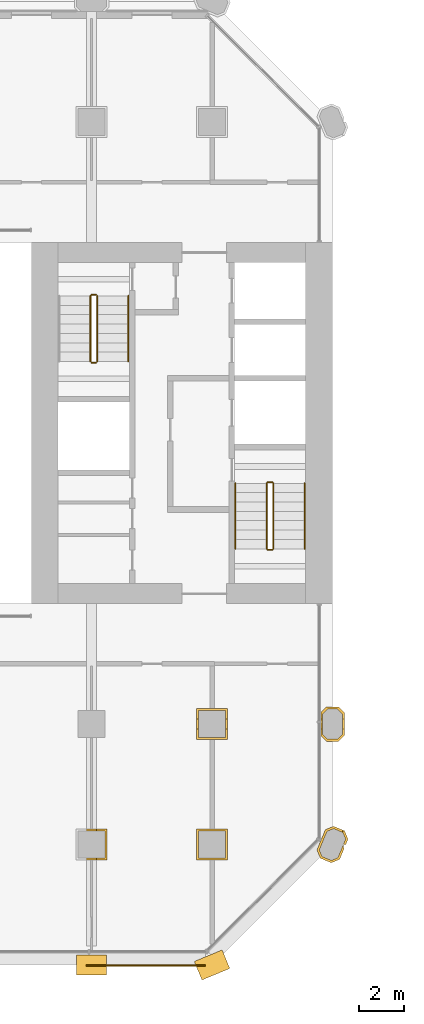
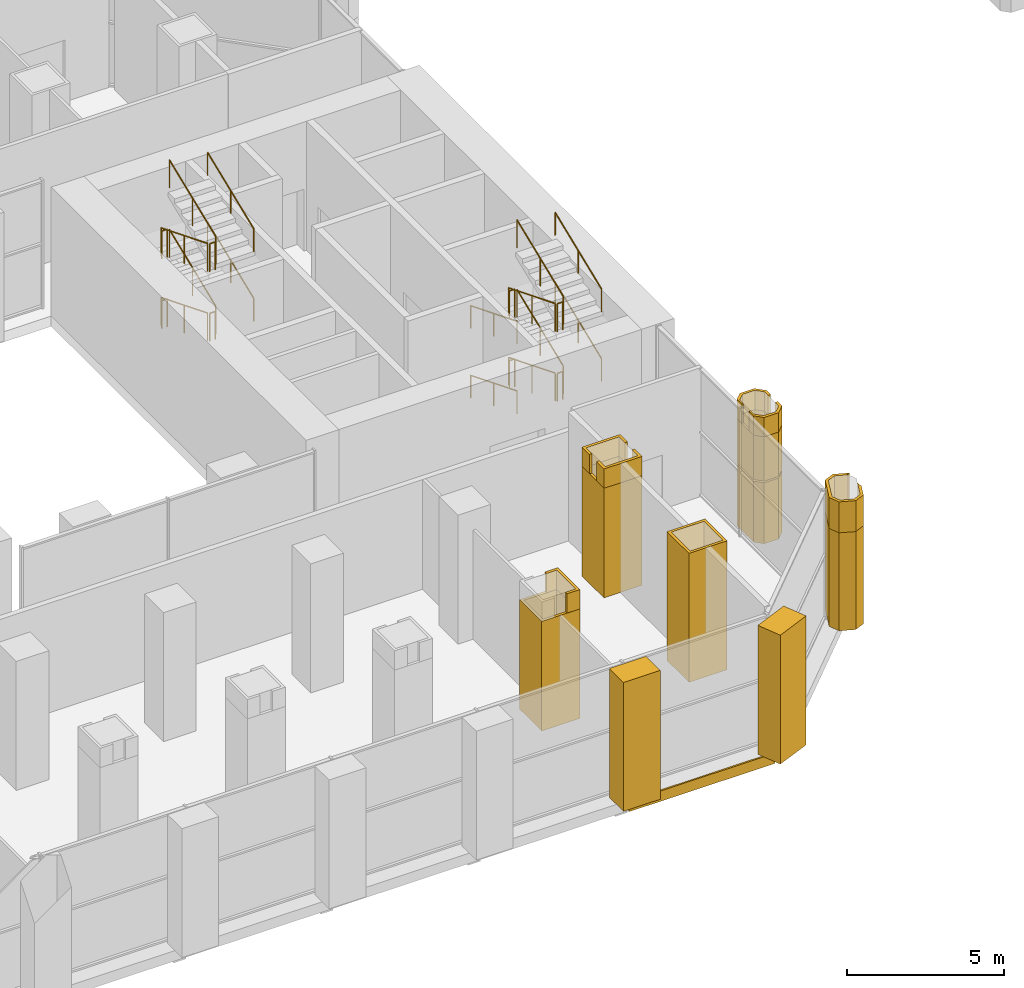
# One storey, part 21 of 27: 22 railings, 15 coverings.
"""IFC4 building model written with IfcOpenShell, lengths in metres."""

from ifc_helpers import new_model, si_unit, direction, frame, frame_2d, origin, origin_2d, place, context, subcontext, project, spatial, polyline, rectangle, circle, outline, extrude, material, layer, layer_set, type_object, element, save


model = new_model("IFC4")

# Units and contexts
model_context = context("Model", 3, precision=1e-05, world=origin(), true_north=direction((0.0, 1.0)))
body_context = subcontext(model_context, "Body", "Model", "MODEL_VIEW")
ifc_project = project(units=[si_unit("LENGTHUNIT", "METRE"), si_unit("AREAUNIT", "SQUARE_METRE"), si_unit("VOLUMEUNIT", "CUBIC_METRE"), si_unit("PLANEANGLEUNIT", "RADIAN"), si_unit("MASSUNIT", "GRAM", prefix="KILO")], contexts=[model_context])

# Site, building, storey
site_placement = place(None, origin())
site = spatial("IfcSite", under=ifc_project, at=site_placement, CompositionType="ELEMENT")
building_placement = place(site_placement, origin())
building = spatial("IfcBuilding", under=site, at=building_placement, Name="Tabaq Tower and Sports Hall", CompositionType="ELEMENT")
storey_placement = place(building_placement, frame((0.0, 0.0, 14.39990234375)))
storey = spatial("IfcBuildingStorey", under=building, at=storey_placement, Name="L02", CompositionType="ELEMENT", Elevation=14.39990234375)

# Coverings
ifc_material_1 = material(Name="Precast concrete C60/75", Category="concrete")
ifc_layer_1 = layer(ifc_material_1, 0.10009765625)
ifc_layer_set_1 = layer_set([ifc_layer_1], Name="Column cladding 100")
covering_type_1 = type_object("IfcCoveringType", Name="Column cladding 100", PredefinedType="CLADDING", material=ifc_layer_set_1)
covering_1_placement = place(storey_placement, origin())
element("IfcCovering", 1, at=covering_1_placement, inside=storey, type_object=covering_type_1, Name="Column cladding L02 CC-7B-P", PredefinedType="CLADDING", context=body_context, shape_type="SweptSolid", body=[
    extrude(outline(polyline([(31.7001953125, 6.099609375), (33.099609375, 6.099609375), (33.099609375, 4.7001953125), (31.7001953125, 4.7001953125), (31.7001953125, 6.099609375)]), holes=[polyline([(33.000244140625, 4.7998046875), (33.000244140625, 6.000244140625), (31.7998046875, 6.000244140625), (31.7998046875, 4.7998046875), (33.000244140625, 4.7998046875)])]), origin(), (0.0, 0.0, 1.0), 4.25),
])
covering_2_placement = place(storey_placement, frame((0.0, 0.0, 4.25)))
element("IfcCovering", 2, at=covering_2_placement, inside=storey, type_object=covering_type_1, Name="Column cladding L02 CC-7B-P head", PredefinedType="CLADDING", context=body_context, shape_type="SweptSolid", body=[
    extrude(outline(polyline([(32.62548828125, 4.79931640625), (33.00048828125, 4.79931640625), (33.00048828125, 6.00048828125), (32.62548828125, 6.00048828125), (32.62548828125, 6.099365234375), (33.099365234375, 6.099365234375), (33.099365234375, 4.70068359375), (32.62548828125, 4.70068359375), (32.62548828125, 4.79931640625)])), origin(), (0.0, 0.0, 1.0), 0.75),
])
covering_3_placement = place(storey_placement, origin())
element("IfcCovering", 3, at=covering_3_placement, inside=storey, type_object=covering_type_1, Name="Column cladding L02 CC-8B-P", PredefinedType="CLADDING", context=body_context, shape_type="SweptSolid", body=[
    extrude(outline(polyline([(37.100341796875, 6.099609375), (38.499755859375, 6.099609375), (38.499755859375, 4.7001953125), (37.100341796875, 4.7001953125), (37.100341796875, 6.099609375)]), holes=[polyline([(38.400390625, 4.7998046875), (38.400390625, 6.000244140625), (37.19970703125, 6.000244140625), (37.19970703125, 4.7998046875), (38.400390625, 4.7998046875)])]), origin(), (0.0, 0.0, 1.0), 5.0),
])
covering_4_placement = place(storey_placement, origin())
element("IfcCovering", 4, at=covering_4_placement, inside=storey, type_object=covering_type_1, Name="Column cladding L02 CC-8C-P", PredefinedType="CLADDING", context=body_context, shape_type="SweptSolid", body=[
    extrude(outline(polyline([(37.100341796875, 11.499755859375), (38.499755859375, 11.499755859375), (38.499755859375, 10.100341796875), (37.100341796875, 10.100341796875), (37.100341796875, 11.499755859375)]), holes=[polyline([(38.400390625, 10.19970703125), (38.400390625, 11.400390625), (37.19970703125, 11.400390625), (37.19970703125, 10.19970703125), (38.400390625, 10.19970703125)])]), origin(), (0.0, 0.0, 1.0), 4.25),
])
covering_5_placement = place(storey_placement, frame((0.0, 0.0, 4.25)))
element("IfcCovering", 5, at=covering_5_placement, inside=storey, type_object=covering_type_1, Name="Column cladding L02 CC-8C-P head", PredefinedType="CLADDING", context=body_context, shape_type="SweptSolid", body=[
    extrude(outline(polyline([(38.499755859375, 10.100341796875), (37.100341796875, 10.100341796875), (37.100341796875, 10.57470703125), (37.19970703125, 10.57470703125), (37.19970703125, 10.19970703125), (38.400390625, 10.19970703125), (38.400390625, 10.57470703125), (38.499755859375, 10.57470703125), (38.499755859375, 10.100341796875)])), origin(), (0.0, 0.0, 1.0), 0.75),
])
covering_6_placement = place(storey_placement, frame((0.0, 0.0, 4.25)))
element("IfcCovering", 6, at=covering_6_placement, inside=storey, type_object=covering_type_1, Name="Column cladding L02 CC-8C-P head 2", PredefinedType="CLADDING", context=body_context, shape_type="SweptSolid", body=[
    extrude(outline(polyline([(38.499755859375, 11.499755859375), (38.499755859375, 11.025390625), (38.400390625, 11.025390625), (38.400390625, 11.400390625), (37.19970703125, 11.400390625), (37.19970703125, 11.025390625), (37.100341796875, 11.025390625), (37.100341796875, 11.499755859375), (38.499755859375, 11.499755859375)])), origin(), (0.0, 0.0, 1.0), 0.75),
])
covering_7_placement = place(storey_placement, origin())
element("IfcCovering", 7, at=covering_7_placement, inside=storey, type_object=covering_type_1, Name="Column cladding L02 PC-9B-P", PredefinedType="CLADDING", context=body_context, shape_type="SweptSolid", body=[
    extrude(outline(polyline([(42.657470703125, 4.7861328125), (42.504150390625, 5.156494140625), (42.68212890625, 5.586181640625), (42.690185546875, 5.586181640625), (42.690185546875, 5.60595703125), (42.880126953125, 6.064208984375), (43.25048828125, 6.217529296875), (43.742431640625, 6.013916015625), (43.895751953125, 5.6435546875), (43.795166015625, 5.400390625), (43.696533203125, 5.400390625), (43.696533203125, 5.249755859375), (43.732177734375, 5.248291015625), (43.519775390625, 4.73583984375), (43.149658203125, 4.582275390625), (42.657470703125, 4.7861328125)]), holes=[polyline([(43.66650390625, 5.937744140625), (43.25048828125, 6.110107421875), (42.956298828125, 5.98828125), (42.61181640625, 5.156494140625), (42.733642578125, 4.8623046875), (43.149658203125, 4.68994140625), (43.44384765625, 4.811767578125), (43.788330078125, 5.6435546875), (43.66650390625, 5.937744140625)])]), origin(), (0.0, 0.0, 1.0), 3.800048828125),
])
covering_8_placement = place(storey_placement, frame((0.0, 0.0, 3.800048828125)))
element("IfcCovering", 8, at=covering_8_placement, inside=storey, type_object=covering_type_1, Name="Column cladding L02 PC-9B-P head", PredefinedType="CLADDING", context=body_context, shape_type="SweptSolid", body=[
    extrude(outline(polyline([(42.504150390625, 5.156494140625), (42.68212890625, 5.586181640625), (42.690185546875, 5.586181640625), (42.690185546875, 5.60595703125), (42.880126953125, 6.064208984375), (43.25048828125, 6.217529296875), (43.742431640625, 6.013916015625), (43.748046875, 6.000244140625), (43.649658203125, 6.000244140625), (43.649658203125, 5.944580078125), (43.25048828125, 6.110107421875), (42.956298828125, 5.98828125), (42.61181640625, 5.156494140625), (42.733642578125, 4.8623046875), (43.149658203125, 4.68994140625), (43.44384765625, 4.811767578125), (43.687255859375, 5.399658203125), (43.696533203125, 5.399658203125), (43.696533203125, 5.249755859375), (43.732177734375, 5.248291015625), (43.519775390625, 4.73583984375), (43.149658203125, 4.582275390625), (42.657470703125, 4.7861328125), (42.504150390625, 5.156494140625)])), origin(), (0.0, 0.0, 1.0), 1.199951171875),
])
covering_9_placement = place(storey_placement, frame((0.0, 0.0, 0.1025390625)))
element("IfcCovering", 9, at=covering_9_placement, inside=storey, type_object=covering_type_1, Name="Column cladding L02 PC-9C-P", PredefinedType="CLADDING", context=body_context, shape_type="SweptSolid", body=[
    extrude(outline(polyline([(42.93359375, 10.025390625), (42.690185546875, 10.268798828125), (42.690185546875, 11.331298828125), (42.93359375, 11.57470703125), (43.46630859375, 11.57470703125), (43.749755859375, 11.291259765625), (43.749755859375, 10.30859375), (43.46630859375, 10.025390625), (42.93359375, 10.025390625)]), holes=[polyline([(43.425048828125, 11.475341796875), (42.974853515625, 11.475341796875), (42.749755859375, 11.250244140625), (42.749755859375, 10.349853515625), (42.974853515625, 10.124755859375), (43.425048828125, 10.124755859375), (43.650390625, 10.349853515625), (43.650390625, 11.250244140625), (43.425048828125, 11.475341796875)])]), origin(), (0.0, 0.0, 1.0), 2.364990234375),
])
covering_10_placement = place(storey_placement, frame((0.0, 0.0, 2.53271484375)))
element("IfcCovering", 10, at=covering_10_placement, inside=storey, type_object=covering_type_1, Name="Column cladding L02 PC-9C-P 2", PredefinedType="CLADDING", context=body_context, shape_type="SweptSolid", body=[
    extrude(outline(polyline([(42.93359375, 10.025390625), (42.690185546875, 10.268798828125), (42.690185546875, 11.331298828125), (42.93359375, 11.57470703125), (43.46630859375, 11.57470703125), (43.749755859375, 11.291259765625), (43.749755859375, 10.30859375), (43.46630859375, 10.025390625), (42.93359375, 10.025390625)]), holes=[polyline([(43.425048828125, 11.475341796875), (42.974853515625, 11.475341796875), (42.749755859375, 11.250244140625), (42.749755859375, 10.349853515625), (42.974853515625, 10.124755859375), (43.425048828125, 10.124755859375), (43.650390625, 10.349853515625), (43.650390625, 11.250244140625), (43.425048828125, 11.475341796875)])]), origin(), (0.0, 0.0, 1.0), 1.71728515625),
])
covering_11_placement = place(storey_placement, frame((0.0, 0.0, 4.25)))
element("IfcCovering", 11, at=covering_11_placement, inside=storey, type_object=covering_type_1, Name="Column cladding L02 PC-9C-P head", PredefinedType="CLADDING", context=body_context, shape_type="SweptSolid", body=[
    extrude(outline(polyline([(42.690185546875, 10.268798828125), (42.690185546875, 10.57470703125), (42.749755859375, 10.57470703125), (42.749755859375, 10.349853515625), (42.974853515625, 10.124755859375), (43.425048828125, 10.124755859375), (43.650390625, 10.349853515625), (43.650390625, 10.57470703125), (43.749755859375, 10.57470703125), (43.749755859375, 10.30859375), (43.46630859375, 10.025390625), (42.93359375, 10.025390625), (42.690185546875, 10.268798828125)])), origin(), (0.0, 0.0, 1.0), 0.75),
])
covering_12_placement = place(storey_placement, frame((0.0, 0.0, 4.25)))
element("IfcCovering", 12, at=covering_12_placement, inside=storey, type_object=covering_type_1, Name="Column cladding L02 PC-9C-P head 2", PredefinedType="CLADDING", context=body_context, shape_type="SweptSolid", body=[
    extrude(outline(polyline([(42.690185546875, 11.331298828125), (42.93359375, 11.57470703125), (43.46630859375, 11.57470703125), (43.749755859375, 11.291259765625), (43.749755859375, 11.025390625), (43.650390625, 11.025390625), (43.650390625, 11.250244140625), (43.425048828125, 11.475341796875), (42.974853515625, 11.475341796875), (42.749755859375, 11.250244140625), (42.749755859375, 11.025390625), (42.690185546875, 11.025390625), (42.690185546875, 11.331298828125)])), origin(), (0.0, 0.0, 1.0), 0.75),
])
ifc_material_2 = material(Name="Precast concrete C60/75", Category="concrete")
ifc_layer_2 = layer(ifc_material_2, 0.06005859375)
ifc_layer_set_2 = layer_set([ifc_layer_2], Name="Edge beam cladding 60")
covering_type_2 = type_object("IfcCoveringType", Name="Edge beam cladding 60", PredefinedType="CLADDING", material=ifc_layer_set_2)
covering_13_placement = place(storey_placement, frame((32.159912109375, -0.030029296875, -0.39990234375), z_axis=(0.0, 0.0, 1.0), x_axis=(1.0, 0.0, 0.0)))
element("IfcCovering", 13, at=covering_13_placement, inside=storey, type_object=covering_type_2, Name="Edge beam cladding L02 1 2", PredefinedType="CLADDING", context=body_context, shape_type="SweptSolid", body=[
    extrude(rectangle(XDim=5.341552734375, YDim=0.06005859375, at=frame_2d((2.6708984375, 0.0))), origin(), (0.0, 0.0, 1.0), 0.39990234375),
])
ifc_material_3 = material(Name="White precast concrete C60/75", Category="concrete")
covering_type_3 = type_object("IfcCoveringType", Name="Pier cladding hung 1350x900", PredefinedType="CLADDING", material=ifc_material_3)
covering_14_placement = place(storey_placement, frame((31.72509765625, 0.0, 0.0), z_axis=(0.0, 0.0, 1.0), x_axis=(1.0, 0.0, 0.0)))
element("IfcCovering", 14, at=covering_14_placement, inside=storey, type_object=covering_type_3, Name="Hung pier cladding 6/0", PredefinedType="CLADDING", context=body_context, shape_type="SweptSolid", body=[
    extrude(rectangle(XDim=1.349853515625, YDim=0.89990234375, at=frame_2d((0.6748046875, 0.0))), origin(), (0.0, 0.0, 1.0), 5.0),
])
covering_15_placement = place(storey_placement, frame((37.17626953125, -0.25830078125, 0.0), z_axis=(0.0, 0.0, 1.0), x_axis=(0.923893411637, 0.382649923473, 0.0)))
element("IfcCovering", 15, at=covering_15_placement, inside=storey, type_object=covering_type_3, Name="Hung pier cladding 7/0", PredefinedType="CLADDING", context=body_context, shape_type="SweptSolid", body=[
    extrude(rectangle(XDim=1.35009765625, YDim=0.89990234375, at=frame_2d((0.675048828125, 0.0))), origin(), (0.0, 0.0, 1.0), 5.0),
])

# Railings
ifc_material_4 = material(Name="Stainless steel", Category="steel")
railing_type_1 = type_object("IfcRailingType", Name="Stair guard", PredefinedType="GUARDRAIL", material=ifc_material_4)
railing_1_placement = place(storey_placement, frame((40.25, 21.60009765625, 0.1689453125)))
element("IfcRailing", 16, at=railing_1_placement, inside=storey, type_object=railing_type_1, Name="L02 ST3 stair guard 1", PredefinedType="GUARDRAIL", context=body_context, shape_type="SweptSolid", body=[
    extrude(circle(Radius=0.02392578125, at=origin_2d()), frame((0.0, 0.0, 1.076171875), z_axis=(0.0, -0.927923022591, 0.372771866088), x_axis=(1.0, 0.0, 0.0)), (0.0, 0.0, 1.0), 3.16845703125),
    extrude(circle(Radius=0.02099609375, at=origin_2d()), origin(), (0.0, 0.0, 1.0), 1.052001953125),
    extrude(circle(Radius=0.02099609375, at=origin_2d()), frame((0.0, -1.47021484375, 0.590576171875)), (0.0, 0.0, 1.0), 1.052001953125),
    extrude(circle(Radius=0.02099609375, at=origin_2d()), frame((0.0, -2.940185546875, 1.18115234375)), (0.0, 0.0, 1.0), 1.052001953125),
])
railing_2_placement = place(storey_placement, frame((40.300048828125, 18.610107421875, 1.35009765625)))
element("IfcRailing", 17, at=railing_2_placement, inside=storey, type_object=railing_type_1, Name="L02 ST3 stair guard 2", PredefinedType="GUARDRAIL", context=body_context, shape_type="SweptSolid", body=[
    extrude(circle(Radius=0.02392578125, at=origin_2d()), frame((0.0, 0.0, 1.076171875), z_axis=(1.0, 0.0, 0.0), x_axis=(0.0, 1.0, 0.0)), (0.0, 0.0, 1.0), 0.199951171875),
    extrude(circle(Radius=0.02099609375, at=origin_2d()), origin(), (0.0, 0.0, 1.0), 1.052001953125),
    extrude(circle(Radius=0.02099609375, at=origin_2d()), frame((0.199951171875, 0.0, 0.0)), (0.0, 0.0, 1.0), 1.052001953125),
])
railing_3_placement = place(storey_placement, frame((40.550048828125, 18.659912109375, 1.518798828125)))
element("IfcRailing", 18, at=railing_3_placement, inside=storey, type_object=railing_type_1, Name="L02 ST3 stair guard 3", PredefinedType="GUARDRAIL", context=body_context, shape_type="SweptSolid", body=[
    extrude(circle(Radius=0.02392578125, at=origin_2d()), frame((0.0, 0.0, 1.076171875), z_axis=(0.0, 0.927896368829, 0.372838207155), x_axis=(-1.0, 0.0, 0.0)), (0.0, 0.0, 1.0), 3.168701171875),
    extrude(circle(Radius=0.02099609375, at=origin_2d()), origin(), (0.0, 0.0, 1.0), 1.052001953125),
    extrude(circle(Radius=0.02099609375, at=origin_2d()), frame((0.0, 1.47021484375, 0.5908203125)), (0.0, 0.0, 1.0), 1.052001953125),
    extrude(circle(Radius=0.02099609375, at=origin_2d()), frame((0.0, 2.940185546875, 1.181396484375)), (0.0, 0.0, 1.0), 1.052001953125),
])
railing_4_placement = place(storey_placement, frame((40.300048828125, 21.64990234375, 2.7001953125)))
element("IfcRailing", 19, at=railing_4_placement, inside=storey, type_object=railing_type_1, Name="L02 ST3 stair guard 4", PredefinedType="GUARDRAIL", context=body_context, shape_type="SweptSolid", body=[
    extrude(circle(Radius=0.02392578125, at=origin_2d()), frame((0.0, 0.0, 1.076171875), z_axis=(1.0, 0.0, 0.0), x_axis=(0.0, 1.0, 0.0)), (0.0, 0.0, 1.0), 0.199951171875),
    extrude(circle(Radius=0.02099609375, at=origin_2d()), origin(), (0.0, 0.0, 1.0), 1.052001953125),
    extrude(circle(Radius=0.02099609375, at=origin_2d()), frame((0.199951171875, 0.0, 0.0)), (0.0, 0.0, 1.0), 1.052001953125),
])
railing_5_placement = place(storey_placement, frame((40.25, 21.60009765625, 2.868896484375)))
element("IfcRailing", 20, at=railing_5_placement, inside=storey, type_object=railing_type_1, Name="L02 ST3 stair guard 5", PredefinedType="GUARDRAIL", context=body_context, shape_type="SweptSolid", body=[
    extrude(circle(Radius=0.02392578125, at=origin_2d()), frame((0.0, 0.0, 1.076171875), z_axis=(0.0, -0.927923022591, 0.372771866088), x_axis=(1.0, 0.0, 0.0)), (0.0, 0.0, 1.0), 3.16845703125),
    extrude(circle(Radius=0.02099609375, at=origin_2d()), origin(), (0.0, 0.0, 1.0), 1.052001953125),
    extrude(circle(Radius=0.02099609375, at=origin_2d()), frame((0.0, -1.47021484375, 0.590576171875)), (0.0, 0.0, 1.0), 1.052001953125),
    extrude(circle(Radius=0.02099609375, at=origin_2d()), frame((0.0, -2.940185546875, 1.18115234375)), (0.0, 0.0, 1.0), 1.052001953125),
])
railing_6_placement = place(storey_placement, frame((40.300048828125, 18.610107421875, 4.050048828125)))
element("IfcRailing", 21, at=railing_6_placement, inside=storey, type_object=railing_type_1, Name="L02 ST3 stair guard 6", PredefinedType="GUARDRAIL", context=body_context, shape_type="SweptSolid", body=[
    extrude(circle(Radius=0.02392578125, at=origin_2d()), frame((0.0, 0.0, 1.076171875), z_axis=(1.0, 0.0, 0.0), x_axis=(0.0, 1.0, 0.0)), (0.0, 0.0, 1.0), 0.199951171875),
    extrude(circle(Radius=0.02099609375, at=origin_2d()), origin(), (0.0, 0.0, 1.0), 1.052001953125),
    extrude(circle(Radius=0.02099609375, at=origin_2d()), frame((0.199951171875, 0.0, 0.0)), (0.0, 0.0, 1.0), 1.052001953125),
])
railing_7_placement = place(storey_placement, frame((40.550048828125, 18.659912109375, 4.21875)))
element("IfcRailing", 22, at=railing_7_placement, inside=storey, type_object=railing_type_1, Name="L02 ST3 stair guard 7", PredefinedType="GUARDRAIL", context=body_context, shape_type="SweptSolid", body=[
    extrude(circle(Radius=0.02392578125, at=origin_2d()), frame((0.0, 0.0, 1.076171875), z_axis=(0.0, 0.927896368829, 0.372838207155), x_axis=(-1.0, 0.0, 0.0)), (0.0, 0.0, 1.0), 3.168701171875),
    extrude(circle(Radius=0.02099609375, at=origin_2d()), origin(), (0.0, 0.0, 1.0), 1.052001953125),
    extrude(circle(Radius=0.02099609375, at=origin_2d()), frame((0.0, 1.47021484375, 0.5908203125)), (0.0, 0.0, 1.0), 1.052001953125),
    extrude(circle(Radius=0.02099609375, at=origin_2d()), frame((0.0, 2.940185546875, 1.181396484375)), (0.0, 0.0, 1.0), 1.052001953125),
])
railing_8_placement = place(storey_placement, frame((40.300048828125, 21.64990234375, 0.0)))
element("IfcRailing", 23, at=railing_8_placement, inside=storey, type_object=railing_type_1, Name="L02 ST3 stair guard 8", PredefinedType="GUARDRAIL", context=body_context, shape_type="SweptSolid", body=[
    extrude(circle(Radius=0.02392578125, at=origin_2d()), frame((0.0, 0.0, 1.076171875), z_axis=(1.0, 0.0, 0.0), x_axis=(0.0, 1.0, 0.0)), (0.0, 0.0, 1.0), 0.199951171875),
    extrude(circle(Radius=0.02099609375, at=origin_2d()), origin(), (0.0, 0.0, 1.0), 1.052001953125),
    extrude(circle(Radius=0.02099609375, at=origin_2d()), frame((0.199951171875, 0.0, 0.0)), (0.0, 0.0, 1.0), 1.052001953125),
])
railing_9_placement = place(storey_placement, frame((32.35009765625, 30.0, 0.1689453125)))
element("IfcRailing", 24, at=railing_9_placement, inside=storey, type_object=railing_type_1, Name="L02 ST4 stair guard 1", PredefinedType="GUARDRAIL", context=body_context, shape_type="SweptSolid", body=[
    extrude(circle(Radius=0.02392578125, at=origin_2d()), frame((0.0, 0.0, 1.076171875), z_axis=(0.0, -0.927912314548, 0.372798519995), x_axis=(1.0, 0.0, 0.0)), (0.0, 0.0, 1.0), 3.16845703125),
    extrude(circle(Radius=0.02099609375, at=origin_2d()), origin(), (0.0, 0.0, 1.0), 1.052001953125),
    extrude(circle(Radius=0.02099609375, at=origin_2d()), frame((0.0, -1.469970703125, 0.590576171875)), (0.0, 0.0, 1.0), 1.052001953125),
    extrude(circle(Radius=0.02099609375, at=origin_2d()), frame((0.0, -2.93994140625, 1.18115234375)), (0.0, 0.0, 1.0), 1.052001953125),
])
railing_10_placement = place(storey_placement, frame((32.39990234375, 27.010009765625, 1.35009765625)))
element("IfcRailing", 25, at=railing_10_placement, inside=storey, type_object=railing_type_1, Name="L02 ST4 stair guard 2", PredefinedType="GUARDRAIL", context=body_context, shape_type="SweptSolid", body=[
    extrude(circle(Radius=0.02392578125, at=origin_2d()), frame((0.0, 0.0, 1.076171875), z_axis=(1.0, 0.0, 0.0), x_axis=(0.0, 1.0, 0.0)), (0.0, 0.0, 1.0), 0.2001953125),
    extrude(circle(Radius=0.02099609375, at=origin_2d()), origin(), (0.0, 0.0, 1.0), 1.052001953125),
    extrude(circle(Radius=0.02099609375, at=origin_2d()), frame((0.2001953125, 0.0, 0.0)), (0.0, 0.0, 1.0), 1.052001953125),
])
railing_11_placement = place(storey_placement, frame((32.64990234375, 27.06005859375, 1.518798828125)))
element("IfcRailing", 26, at=railing_11_placement, inside=storey, type_object=railing_type_1, Name="L02 ST4 stair guard 3", PredefinedType="GUARDRAIL", context=body_context, shape_type="SweptSolid", body=[
    extrude(circle(Radius=0.02392578125, at=origin_2d()), frame((0.0, 0.0, 1.076171875), z_axis=(0.0, 0.927885657282, 0.372864864274), x_axis=(-1.0, 0.0, 0.0)), (0.0, 0.0, 1.0), 3.16845703125),
    extrude(circle(Radius=0.02099609375, at=origin_2d()), origin(), (0.0, 0.0, 1.0), 1.052001953125),
    extrude(circle(Radius=0.02099609375, at=origin_2d()), frame((0.0, 1.469970703125, 0.5908203125)), (0.0, 0.0, 1.0), 1.052001953125),
    extrude(circle(Radius=0.02099609375, at=origin_2d()), frame((0.0, 2.93994140625, 1.181396484375)), (0.0, 0.0, 1.0), 1.052001953125),
])
railing_12_placement = place(storey_placement, frame((32.39990234375, 30.050048828125, 2.7001953125)))
element("IfcRailing", 27, at=railing_12_placement, inside=storey, type_object=railing_type_1, Name="L02 ST4 stair guard 4", PredefinedType="GUARDRAIL", context=body_context, shape_type="SweptSolid", body=[
    extrude(circle(Radius=0.02392578125, at=origin_2d()), frame((0.0, 0.0, 1.076171875), z_axis=(1.0, 0.0, 0.0), x_axis=(0.0, 1.0, 0.0)), (0.0, 0.0, 1.0), 0.2001953125),
    extrude(circle(Radius=0.02099609375, at=origin_2d()), origin(), (0.0, 0.0, 1.0), 1.052001953125),
    extrude(circle(Radius=0.02099609375, at=origin_2d()), frame((0.2001953125, 0.0, 0.0)), (0.0, 0.0, 1.0), 1.052001953125),
])
railing_13_placement = place(storey_placement, frame((32.35009765625, 30.0, 2.868896484375)))
element("IfcRailing", 28, at=railing_13_placement, inside=storey, type_object=railing_type_1, Name="L02 ST4 stair guard 5", PredefinedType="GUARDRAIL", context=body_context, shape_type="SweptSolid", body=[
    extrude(circle(Radius=0.02392578125, at=origin_2d()), frame((0.0, 0.0, 1.076171875), z_axis=(0.0, -0.927912314548, 0.372798519995), x_axis=(1.0, 0.0, 0.0)), (0.0, 0.0, 1.0), 3.16845703125),
    extrude(circle(Radius=0.02099609375, at=origin_2d()), origin(), (0.0, 0.0, 1.0), 1.052001953125),
    extrude(circle(Radius=0.02099609375, at=origin_2d()), frame((0.0, -1.469970703125, 0.590576171875)), (0.0, 0.0, 1.0), 1.052001953125),
    extrude(circle(Radius=0.02099609375, at=origin_2d()), frame((0.0, -2.93994140625, 1.18115234375)), (0.0, 0.0, 1.0), 1.052001953125),
])
railing_14_placement = place(storey_placement, frame((32.39990234375, 27.010009765625, 4.050048828125)))
element("IfcRailing", 29, at=railing_14_placement, inside=storey, type_object=railing_type_1, Name="L02 ST4 stair guard 6", PredefinedType="GUARDRAIL", context=body_context, shape_type="SweptSolid", body=[
    extrude(circle(Radius=0.02392578125, at=origin_2d()), frame((0.0, 0.0, 1.076171875), z_axis=(1.0, 0.0, 0.0), x_axis=(0.0, 1.0, 0.0)), (0.0, 0.0, 1.0), 0.2001953125),
    extrude(circle(Radius=0.02099609375, at=origin_2d()), origin(), (0.0, 0.0, 1.0), 1.052001953125),
    extrude(circle(Radius=0.02099609375, at=origin_2d()), frame((0.2001953125, 0.0, 0.0)), (0.0, 0.0, 1.0), 1.052001953125),
])
railing_15_placement = place(storey_placement, frame((32.64990234375, 27.06005859375, 4.21875)))
element("IfcRailing", 30, at=railing_15_placement, inside=storey, type_object=railing_type_1, Name="L02 ST4 stair guard 7", PredefinedType="GUARDRAIL", context=body_context, shape_type="SweptSolid", body=[
    extrude(circle(Radius=0.02392578125, at=origin_2d()), frame((0.0, 0.0, 1.076171875), z_axis=(0.0, 0.927885657282, 0.372864864274), x_axis=(-1.0, 0.0, 0.0)), (0.0, 0.0, 1.0), 3.16845703125),
    extrude(circle(Radius=0.02099609375, at=origin_2d()), origin(), (0.0, 0.0, 1.0), 1.052001953125),
    extrude(circle(Radius=0.02099609375, at=origin_2d()), frame((0.0, 1.469970703125, 0.5908203125)), (0.0, 0.0, 1.0), 1.052001953125),
    extrude(circle(Radius=0.02099609375, at=origin_2d()), frame((0.0, 2.93994140625, 1.181396484375)), (0.0, 0.0, 1.0), 1.052001953125),
])
railing_16_placement = place(storey_placement, frame((32.39990234375, 30.050048828125, 0.0)))
element("IfcRailing", 31, at=railing_16_placement, inside=storey, type_object=railing_type_1, Name="L02 ST4 stair guard 8", PredefinedType="GUARDRAIL", context=body_context, shape_type="SweptSolid", body=[
    extrude(circle(Radius=0.02392578125, at=origin_2d()), frame((0.0, 0.0, 1.076171875), z_axis=(1.0, 0.0, 0.0), x_axis=(0.0, 1.0, 0.0)), (0.0, 0.0, 1.0), 0.2001953125),
    extrude(circle(Radius=0.02099609375, at=origin_2d()), origin(), (0.0, 0.0, 1.0), 1.052001953125),
    extrude(circle(Radius=0.02099609375, at=origin_2d()), frame((0.2001953125, 0.0, 0.0)), (0.0, 0.0, 1.0), 1.052001953125),
])
ifc_material_5 = material(Name="Stainless steel", Category="steel")
railing_type_2 = type_object("IfcRailingType", Name="Stair handrail", PredefinedType="HANDRAIL", material=ifc_material_5)
railing_17_placement = place(storey_placement, frame((38.85009765625, 21.60009765625, 0.1689453125)))
element("IfcRailing", 32, at=railing_17_placement, inside=storey, type_object=railing_type_2, Name="L02 ST3 stair handrail 1", PredefinedType="HANDRAIL", context=body_context, shape_type="SweptSolid", body=[
    extrude(circle(Radius=0.02392578125, at=origin_2d()), frame((0.0, 0.0, 0.8759765625), z_axis=(0.0, -0.927923022591, 0.372771866088), x_axis=(1.0, 0.0, 0.0)), (0.0, 0.0, 1.0), 3.16845703125),
    extrude(circle(Radius=0.02099609375, at=origin_2d()), origin(), (0.0, 0.0, 1.0), 0.851806640625),
    extrude(circle(Radius=0.02099609375, at=origin_2d()), frame((0.0, -1.47021484375, 0.590576171875)), (0.0, 0.0, 1.0), 0.851806640625),
    extrude(circle(Radius=0.02099609375, at=origin_2d()), frame((0.0, -2.940185546875, 1.18115234375)), (0.0, 0.0, 1.0), 0.851806640625),
])
railing_18_placement = place(storey_placement, frame((41.949951171875, 18.659912109375, 1.518798828125)))
element("IfcRailing", 33, at=railing_18_placement, inside=storey, type_object=railing_type_2, Name="L02 ST3 stair handrail 2", PredefinedType="HANDRAIL", context=body_context, shape_type="SweptSolid", body=[
    extrude(circle(Radius=0.02392578125, at=origin_2d()), frame((0.0, 0.0, 0.8759765625), z_axis=(0.0, 0.927896368829, 0.372838207155), x_axis=(-1.0, 0.0, 0.0)), (0.0, 0.0, 1.0), 3.168701171875),
    extrude(circle(Radius=0.02099609375, at=origin_2d()), origin(), (0.0, 0.0, 1.0), 0.851806640625),
    extrude(circle(Radius=0.02099609375, at=origin_2d()), frame((0.0, 1.47021484375, 0.5908203125)), (0.0, 0.0, 1.0), 0.851806640625),
    extrude(circle(Radius=0.02099609375, at=origin_2d()), frame((0.0, 2.940185546875, 1.181396484375)), (0.0, 0.0, 1.0), 0.851806640625),
])
railing_19_placement = place(storey_placement, frame((38.85009765625, 21.60009765625, 2.868896484375)))
element("IfcRailing", 34, at=railing_19_placement, inside=storey, type_object=railing_type_2, Name="L02 ST3 stair handrail 3", PredefinedType="HANDRAIL", context=body_context, shape_type="SweptSolid", body=[
    extrude(circle(Radius=0.02392578125, at=origin_2d()), frame((0.0, 0.0, 0.8759765625), z_axis=(0.0, -0.927923022591, 0.372771866088), x_axis=(1.0, 0.0, 0.0)), (0.0, 0.0, 1.0), 3.16845703125),
    extrude(circle(Radius=0.02099609375, at=origin_2d()), origin(), (0.0, 0.0, 1.0), 0.851806640625),
    extrude(circle(Radius=0.02099609375, at=origin_2d()), frame((0.0, -1.47021484375, 0.590576171875)), (0.0, 0.0, 1.0), 0.851806640625),
    extrude(circle(Radius=0.02099609375, at=origin_2d()), frame((0.0, -2.940185546875, 1.18115234375)), (0.0, 0.0, 1.0), 0.851806640625),
])
railing_20_placement = place(storey_placement, frame((41.949951171875, 18.659912109375, 4.21875)))
element("IfcRailing", 35, at=railing_20_placement, inside=storey, type_object=railing_type_2, Name="L02 ST3 stair handrail 4", PredefinedType="HANDRAIL", context=body_context, shape_type="SweptSolid", body=[
    extrude(circle(Radius=0.02392578125, at=origin_2d()), frame((0.0, 0.0, 0.8759765625), z_axis=(0.0, 0.927896368829, 0.372838207155), x_axis=(-1.0, 0.0, 0.0)), (0.0, 0.0, 1.0), 3.168701171875),
    extrude(circle(Radius=0.02099609375, at=origin_2d()), origin(), (0.0, 0.0, 1.0), 0.851806640625),
    extrude(circle(Radius=0.02099609375, at=origin_2d()), frame((0.0, 1.47021484375, 0.5908203125)), (0.0, 0.0, 1.0), 0.851806640625),
    extrude(circle(Radius=0.02099609375, at=origin_2d()), frame((0.0, 2.940185546875, 1.181396484375)), (0.0, 0.0, 1.0), 0.851806640625),
])
for number, where, name in (
    (36, (34.050048828125, 27.06005859375, 1.518798828125), "L02 ST4 stair handrail 2"),
    (37, (34.050048828125, 27.06005859375, 4.21875), "L02 ST4 stair handrail 4"),
):
    element("IfcRailing", number, at=place(storey_placement, frame(where)), inside=storey, type_object=railing_type_2, Name=name, PredefinedType="HANDRAIL", context=body_context, shape_type="SweptSolid", body=[
        extrude(circle(Radius=0.02392578125, at=origin_2d()), frame((0.0, 0.0, 0.8759765625), z_axis=(0.0, 0.927885657282, 0.372864864274), x_axis=(-1.0, 0.0, 0.0)), (0.0, 0.0, 1.0), 3.16845703125),
        extrude(circle(Radius=0.02099609375, at=origin_2d()), origin(), (0.0, 0.0, 1.0), 0.851806640625),
        extrude(circle(Radius=0.02099609375, at=origin_2d()), frame((0.0, 1.469970703125, 0.5908203125)), (0.0, 0.0, 1.0), 0.851806640625),
        extrude(circle(Radius=0.02099609375, at=origin_2d()), frame((0.0, 2.93994140625, 1.181396484375)), (0.0, 0.0, 1.0), 0.851806640625),
    ])

save(model, "model.ifc")
